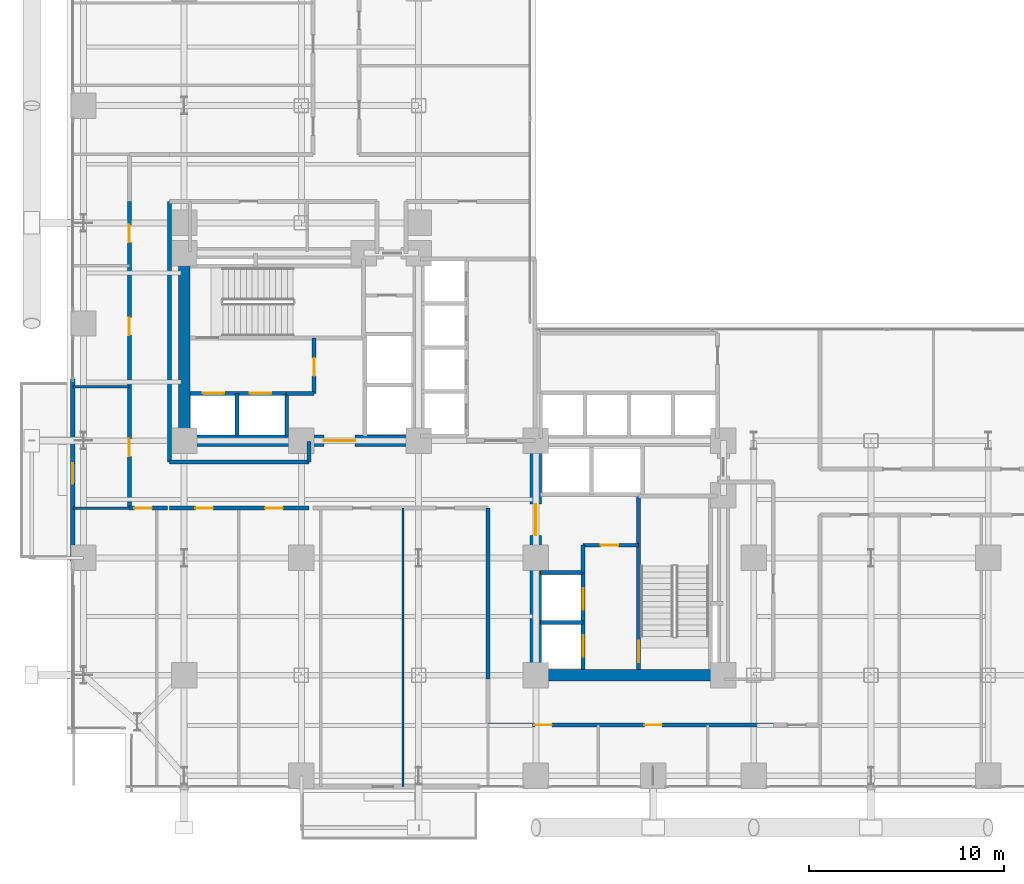
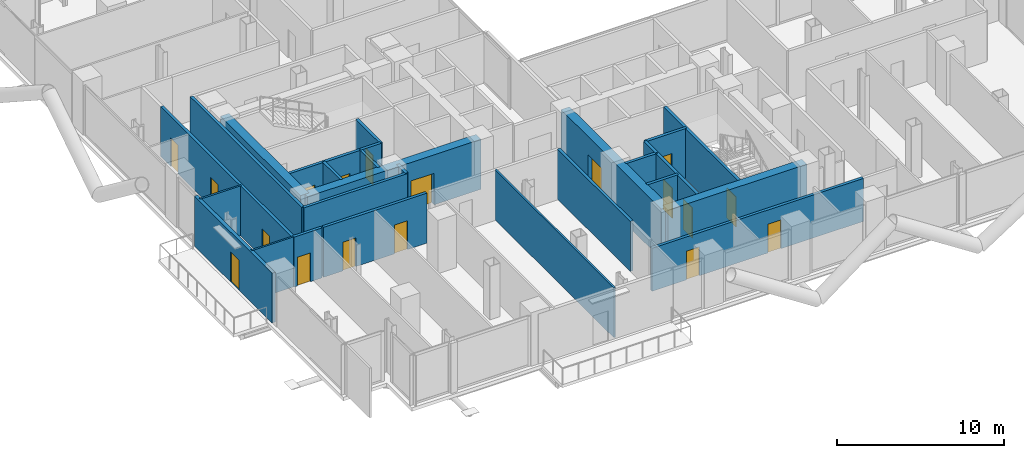
# One storey, part 20 of 25: 27 walls, 18 doors, 18 openings.
"""IFC4 building model written with IfcOpenShell, lengths in metres."""

from ifc_helpers import new_model, si_unit, direction, frame, frame_2d, origin, place, context, subcontext, project, spatial, rectangle, extrude, material, layer, layer_set, type_object, element, fill, save


model = new_model("IFC4")

# Units and contexts
model_context = context("Model", 3, precision=1e-05, world=origin(), true_north=direction((0.0, 1.0)))
body_context = subcontext(model_context, "Body", "Model", "MODEL_VIEW")
ifc_project = project(units=[si_unit("LENGTHUNIT", "METRE"), si_unit("AREAUNIT", "SQUARE_METRE"), si_unit("VOLUMEUNIT", "CUBIC_METRE"), si_unit("PLANEANGLEUNIT", "RADIAN"), si_unit("MASSUNIT", "GRAM", prefix="KILO"), si_unit("THERMODYNAMICTEMPERATUREUNIT", "KELVIN"), si_unit("POWERUNIT", "WATT")], contexts=[model_context])

# Site, building, storey
site_placement = place(None, origin())
site = spatial("IfcSite", under=ifc_project, at=site_placement, CompositionType="ELEMENT")
building_placement = place(site_placement, origin())
building = spatial("IfcBuilding", under=site, at=building_placement, Name="Svarakhadi Broadcast Tower", CompositionType="ELEMENT")
storey_placement = place(building_placement, frame((0.0, 0.0, 48.0)))
storey = spatial("IfcBuildingStorey", under=building, at=storey_placement, Name="L10", CompositionType="ELEMENT", Elevation=48.0)

# Wall, openings, doors
ifc_material_1 = material(Name="Double-Stud Acoustic Studio Partition STC-62", Category="gypsum")
ifc_layer_1 = layer(ifc_material_1, 0.199951171875)
ifc_layer_set_1 = layer_set([ifc_layer_1], Name="Double-Stud Acoustic Studio Partition STC-62")
wall_type_1 = type_object("IfcWallType", Name="Wall_Acoust_200", PredefinedType="PARTITIONING", material=ifc_layer_set_1)
wall_1_placement = place(storey_placement, frame((36.14990234375, 3.449951171875, 0.0), z_axis=(0.0, 0.0, 1.0), x_axis=(-1.0, 0.0, 0.0)))
wall_1 = element("IfcWall", 1, at=wall_1_placement, inside=storey, type_object=wall_type_1, Name="L10 Broadcast Corridor Wall", PredefinedType="PARTITIONING", context=body_context, shape_type="SweptSolid", body=[
    extrude(rectangle(XDim=14.599853515625, YDim=0.199951171875, at=frame_2d((7.2998046875, 0.0))), origin(), (0.0, 0.0, 1.0), 3.14208984375),
])
opening_1_placement = place(wall_1_placement, frame((11.324951171875, 0.0, 0.0)))
opening_1 = element("IfcOpeningElement", 2, at=opening_1_placement, cuts=wall_1, Name="Opening D-15", PredefinedType="OPENING", context=body_context, shape_type="SweptSolid", body=[
    extrude(rectangle(XDim=0.89990234375, YDim=2.10009765625, at=frame_2d((0.449951171875, 1.050048828125))), frame((0.0, 0.10986328125, 0.0), z_axis=(0.0, -1.0, 0.0), x_axis=(1.0, 0.0, 0.0)), (0.0, 0.0, 1.0), 0.219970703125),
])
opening_2_placement = place(wall_1_placement, frame((5.699951171875, 0.0, 0.0)))
opening_2 = element("IfcOpeningElement", 3, at=opening_2_placement, cuts=wall_1, Name="Opening D-14", PredefinedType="OPENING", context=body_context, shape_type="SweptSolid", body=[
    extrude(rectangle(XDim=0.89990234375, YDim=2.10009765625, at=frame_2d((0.449951171875, 1.050048828125))), frame((0.0, 0.10986328125, 0.0), z_axis=(0.0, -1.0, 0.0), x_axis=(1.0, 0.0, 0.0)), (0.0, 0.0, 1.0), 0.219970703125),
])
ifc_material_2 = material(Name="Solid-Core Teak Veneer Acoustic Timber Leaf", Category="wood")
door_type_1 = type_object("IfcDoorType", Name="Door_Int_D14", OperationType="SINGLE_SWING_LEFT", PredefinedType="DOOR", material=ifc_material_2)
door_1_placement = place(opening_2_placement, origin())
door_1 = element("IfcDoor", 4, at=door_1_placement, inside=storey, type_object=door_type_1, Name="L10 Media Legal Review Office Door", OperationType="SINGLE_SWING_LEFT", OverallHeight=2.10009765625, OverallWidth=0.89990234375, PredefinedType="DOOR", context=body_context, shape_type="SweptSolid", body=[
    extrude(rectangle(XDim=0.89990234375, YDim=2.10009765625, at=frame_2d((0.449951171875, 1.050048828125))), frame((0.0, 0.02490234375, 0.0), z_axis=(0.0, -1.0, 0.0), x_axis=(1.0, 0.0, 0.0)), (0.0, 0.0, 1.0), 0.050048828125),
])
fill(opening_2, door_1)
door_type_2 = type_object("IfcDoorType", Name="Door_Int_D15", OperationType="SINGLE_SWING_RIGHT", PredefinedType="DOOR", material=ifc_material_2)
door_2_placement = place(opening_1_placement, origin())
door_2 = element("IfcDoor", 5, at=door_2_placement, inside=storey, type_object=door_type_2, Name="L10 South Harbour Editorial Desk Door", OperationType="SINGLE_SWING_RIGHT", OverallHeight=2.10009765625, OverallWidth=0.89990234375, PredefinedType="DOOR", context=body_context, shape_type="SweptSolid", body=[
    extrude(rectangle(XDim=0.89990234375, YDim=2.10009765625, at=frame_2d((0.449951171875, 1.050048828125))), frame((0.0, 0.02490234375, 0.0), z_axis=(0.0, -1.0, 0.0), x_axis=(1.0, 0.0, 0.0)), (0.0, 0.0, 1.0), 0.050048828125),
])
fill(opening_1, door_2)

# Wall
wall_2_placement = place(storey_placement, frame((21.550048828125, 5.800048828125, 0.0), z_axis=(0.0, 0.0, 1.0), x_axis=(0.0, 1.0, 0.0)))
element("IfcWall", 6, at=wall_2_placement, inside=storey, type_object=wall_type_1, Name="L10 Broadcast Corridor Wall", PredefinedType="PARTITIONING", context=body_context, shape_type="SweptSolid", body=[
    extrude(rectangle(XDim=8.75, YDim=0.199951171875, at=frame_2d((4.375, 0.0))), origin(), (0.0, 0.0, 1.0), 3.64990234375),
])

# Wall, openings, doors
wall_3_placement = place(storey_placement, frame((12.39990234375, 14.550048828125, 0.0), z_axis=(0.0, 0.0, 1.0), x_axis=(-1.0, 0.0, 0.0)))
wall_3 = element("IfcWall", 7, at=wall_3_placement, inside=storey, type_object=wall_type_1, Name="L10 Broadcast Corridor Wall", PredefinedType="PARTITIONING", context=body_context, shape_type="SweptSolid", body=[
    extrude(rectangle(XDim=7.14990234375, YDim=0.199951171875, at=frame_2d((3.574951171875, 0.0))), origin(), (0.0, 0.0, 1.0), 3.64990234375),
])
opening_3_placement = place(wall_3_placement, frame((4.925048828125, 0.0, 0.0)))
opening_3 = element("IfcOpeningElement", 8, at=opening_3_placement, cuts=wall_3, Name="Opening D-15", PredefinedType="OPENING", context=body_context, shape_type="SweptSolid", body=[
    extrude(rectangle(XDim=0.89990234375, YDim=2.10009765625, at=frame_2d((0.449951171875, 1.050048828125))), frame((0.0, 0.10986328125, 0.0), z_axis=(0.0, -1.0, 0.0), x_axis=(1.0, 0.0, 0.0)), (0.0, 0.0, 1.0), 0.219970703125),
])
opening_4_placement = place(wall_3_placement, frame((1.35009765625, 0.0, 0.0)))
opening_4 = element("IfcOpeningElement", 9, at=opening_4_placement, cuts=wall_3, Name="Opening D-14", PredefinedType="OPENING", context=body_context, shape_type="SweptSolid", body=[
    extrude(rectangle(XDim=0.89990234375, YDim=2.10009765625, at=frame_2d((0.449951171875, 1.050048828125))), frame((0.0, 0.10986328125, 0.0), z_axis=(0.0, -1.0, 0.0), x_axis=(1.0, 0.0, 0.0)), (0.0, 0.0, 1.0), 0.219970703125),
])
door_3_placement = place(opening_4_placement, origin())
door_3 = element("IfcDoor", 10, at=door_3_placement, inside=storey, type_object=door_type_1, Name="L10 Audio Mix Room Door", OperationType="SINGLE_SWING_LEFT", OverallHeight=2.10009765625, OverallWidth=0.89990234375, PredefinedType="DOOR", context=body_context, shape_type="SweptSolid", body=[
    extrude(rectangle(XDim=0.89990234375, YDim=2.10009765625, at=frame_2d((0.449951171875, 1.050048828125))), frame((0.0, 0.02490234375, 0.0), z_axis=(0.0, -1.0, 0.0), x_axis=(1.0, 0.0, 0.0)), (0.0, 0.0, 1.0), 0.050048828125),
])
fill(opening_4, door_3)
door_4_placement = place(opening_3_placement, origin())
door_4 = element("IfcDoor", 11, at=door_4_placement, inside=storey, type_object=door_type_2, Name="L10 Video Edit Pod 2 Door", OperationType="SINGLE_SWING_RIGHT", OverallHeight=2.10009765625, OverallWidth=0.89990234375, PredefinedType="DOOR", context=body_context, shape_type="SweptSolid", body=[
    extrude(rectangle(XDim=0.89990234375, YDim=2.10009765625, at=frame_2d((0.449951171875, 1.050048828125))), frame((0.0, 0.02490234375, 0.0), z_axis=(0.0, -1.0, 0.0), x_axis=(1.0, 0.0, 0.0)), (0.0, 0.0, 1.0), 0.050048828125),
])
fill(opening_3, door_4)

# Wall, opening, door
wall_4_placement = place(storey_placement, frame((5.14990234375, 14.550048828125, 0.0), z_axis=(0.0, 0.0, 1.0), x_axis=(-1.0, 0.0, 0.0)))
wall_4 = element("IfcWall", 12, at=wall_4_placement, inside=storey, type_object=wall_type_1, Name="L10 Broadcast Corridor Wall", PredefinedType="PARTITIONING", context=body_context, shape_type="SweptSolid", body=[
    extrude(rectangle(XDim=1.949951171875, YDim=0.199951171875, at=frame_2d((0.97509765625, 0.0))), origin(), (0.0, 0.0, 1.0), 3.64990234375),
])
opening_5_placement = place(wall_4_placement, frame((0.800048828125, 0.0, 0.0)))
opening_5 = element("IfcOpeningElement", 13, at=opening_5_placement, cuts=wall_4, Name="Opening D-15", PredefinedType="OPENING", context=body_context, shape_type="SweptSolid", body=[
    extrude(rectangle(XDim=0.89990234375, YDim=2.10009765625, at=frame_2d((0.449951171875, 1.050048828125))), frame((0.0, 0.10986328125, 0.0), z_axis=(0.0, -1.0, 0.0), x_axis=(1.0, 0.0, 0.0)), (0.0, 0.0, 1.0), 0.219970703125),
])
door_5_placement = place(opening_5_placement, origin())
door_5 = element("IfcDoor", 14, at=door_5_placement, inside=storey, type_object=door_type_2, Name="L10 Video Edit Pod 1 Door", OperationType="SINGLE_SWING_RIGHT", OverallHeight=2.10009765625, OverallWidth=0.89990234375, PredefinedType="DOOR", context=body_context, shape_type="SweptSolid", body=[
    extrude(rectangle(XDim=0.89990234375, YDim=2.10009765625, at=frame_2d((0.449951171875, 1.050048828125))), frame((0.0, 0.02490234375, 0.0), z_axis=(0.0, -1.0, 0.0), x_axis=(1.0, 0.0, 0.0)), (0.0, 0.0, 1.0), 0.050048828125),
])
fill(opening_5, door_5)

# Wall, openings, doors
wall_5_placement = place(storey_placement, frame((3.199951171875, 14.550048828125, 0.0), z_axis=(0.0, 0.0, 1.0), x_axis=(0.0, 1.0, 0.0)))
wall_5 = element("IfcWall", 15, at=wall_5_placement, inside=storey, type_object=wall_type_1, Name="L10 Broadcast Corridor Wall", PredefinedType="PARTITIONING", context=body_context, shape_type="SweptSolid", body=[
    extrude(rectangle(XDim=15.699951171875, YDim=0.199951171875, at=frame_2d((7.85009765625, 0.0))), origin(), (0.0, 0.0, 1.0), 3.64990234375),
])
opening_6_placement = place(wall_5_placement, frame((2.64990234375, 0.0, 0.0)))
opening_6 = element("IfcOpeningElement", 16, at=opening_6_placement, cuts=wall_5, Name="Opening D-14", PredefinedType="OPENING", context=body_context, shape_type="SweptSolid", body=[
    extrude(rectangle(XDim=0.89990234375, YDim=2.10009765625, at=frame_2d((0.449951171875, 1.050048828125))), frame((0.0, 0.10986328125, 0.0), z_axis=(0.0, -1.0, 0.0), x_axis=(1.0, 0.0, 0.0)), (0.0, 0.0, 1.0), 0.219970703125),
])
opening_7_placement = place(wall_5_placement, frame((8.85009765625, 0.0, 0.0)))
opening_7 = element("IfcOpeningElement", 17, at=opening_7_placement, cuts=wall_5, Name="Opening D-15", PredefinedType="OPENING", context=body_context, shape_type="SweptSolid", body=[
    extrude(rectangle(XDim=0.89990234375, YDim=2.10009765625, at=frame_2d((0.449951171875, 1.050048828125))), frame((0.0, 0.10986328125, 0.0), z_axis=(0.0, -1.0, 0.0), x_axis=(1.0, 0.0, 0.0)), (0.0, 0.0, 1.0), 0.219970703125),
])
opening_8_placement = place(wall_5_placement, frame((13.60009765625, 0.0, 0.0)))
opening_8 = element("IfcOpeningElement", 18, at=opening_8_placement, cuts=wall_5, Name="Opening D-14", PredefinedType="OPENING", context=body_context, shape_type="SweptSolid", body=[
    extrude(rectangle(XDim=0.89990234375, YDim=2.10009765625, at=frame_2d((0.449951171875, 1.050048828125))), frame((0.0, 0.10986328125, 0.0), z_axis=(0.0, -1.0, 0.0), x_axis=(1.0, 0.0, 0.0)), (0.0, 0.0, 1.0), 0.219970703125),
])
door_6_placement = place(opening_6_placement, origin())
door_6 = element("IfcDoor", 19, at=door_6_placement, inside=storey, type_object=door_type_1, Name="L10 Arabian Sea Commentary Booth Door", OperationType="SINGLE_SWING_LEFT", OverallHeight=2.10009765625, OverallWidth=0.89990234375, PredefinedType="DOOR", context=body_context, shape_type="SweptSolid", body=[
    extrude(rectangle(XDim=0.89990234375, YDim=2.10009765625, at=frame_2d((0.449951171875, 1.050048828125))), frame((0.0, 0.02490234375, 0.0), z_axis=(0.0, -1.0, 0.0), x_axis=(1.0, 0.0, 0.0)), (0.0, 0.0, 1.0), 0.050048828125),
])
fill(opening_6, door_6)
door_7_placement = place(opening_8_placement, origin())
door_7 = element("IfcDoor", 20, at=door_7_placement, inside=storey, type_object=door_type_1, Name="L10 Producer Quiet Lounge Door", OperationType="SINGLE_SWING_LEFT", OverallHeight=2.10009765625, OverallWidth=0.89990234375, PredefinedType="DOOR", context=body_context, shape_type="SweptSolid", body=[
    extrude(rectangle(XDim=0.89990234375, YDim=2.10009765625, at=frame_2d((0.449951171875, 1.050048828125))), frame((0.0, 0.02490234375, 0.0), z_axis=(0.0, -1.0, 0.0), x_axis=(1.0, 0.0, 0.0)), (0.0, 0.0, 1.0), 0.050048828125),
])
fill(opening_8, door_7)
door_8_placement = place(opening_7_placement, origin())
door_8 = element("IfcDoor", 21, at=door_8_placement, inside=storey, type_object=door_type_2, Name="L10 Live Translation Studio Door", OperationType="SINGLE_SWING_RIGHT", OverallHeight=2.10009765625, OverallWidth=0.89990234375, PredefinedType="DOOR", context=body_context, shape_type="SweptSolid", body=[
    extrude(rectangle(XDim=0.89990234375, YDim=2.10009765625, at=frame_2d((0.449951171875, 1.050048828125))), frame((0.0, 0.02490234375, 0.0), z_axis=(0.0, -1.0, 0.0), x_axis=(1.0, 0.0, 0.0)), (0.0, 0.0, 1.0), 0.050048828125),
])
fill(opening_7, door_8)

# Walls
wall_6_placement = place(storey_placement, frame((5.25, 30.25, 0.0), z_axis=(0.0, 0.0, 1.0), x_axis=(0.0, -1.0, 0.0)))
element("IfcWall", 22, at=wall_6_placement, inside=storey, type_object=wall_type_1, Name="L10 Broadcast Corridor Wall", PredefinedType="PARTITIONING", context=body_context, shape_type="SweptSolid", body=[
    extrude(rectangle(XDim=13.35009765625, YDim=0.199951171875, at=frame_2d((6.675048828125, 0.0))), origin(), (0.0, 0.0, 1.0), 3.64990234375),
])
wall_7_placement = place(storey_placement, frame((5.25, 16.89990234375, 0.0), z_axis=(0.0, 0.0, 1.0), x_axis=(1.0, 0.0, 0.0)))
element("IfcWall", 23, at=wall_7_placement, inside=storey, type_object=wall_type_1, Name="L10 Broadcast Corridor Wall", PredefinedType="PARTITIONING", context=body_context, shape_type="SweptSolid", body=[
    extrude(rectangle(XDim=7.14990234375, YDim=0.199951171875, at=frame_2d((3.574951171875, 0.0))), origin(), (0.0, 0.0, 1.0), 3.64990234375),
])
wall_8_placement = place(storey_placement, frame((12.39990234375, 16.89990234375, 0.0), z_axis=(0.0, 0.0, 1.0), x_axis=(0.0, 1.0, 0.0)))
element("IfcWall", 24, at=wall_8_placement, inside=storey, type_object=wall_type_1, Name="L10 Broadcast Corridor Wall", PredefinedType="PARTITIONING", context=body_context, shape_type="SweptSolid", body=[
    extrude(rectangle(XDim=1.050048828125, YDim=0.199951171875, at=frame_2d((0.52490234375, 0.0))), origin(), (0.0, 0.0, 1.0), 3.64990234375),
])

# Wall, opening, door
ifc_material_3 = material(Name="Concrete C40/50 (IS 456 M50)", Category="concrete")
ifc_layer_2 = layer(ifc_material_3, 0.239990234375)
ifc_layer_set_2 = layer_set([ifc_layer_2], Name="Concrete C40/50 (IS 456 M50)")
wall_type_2 = type_object("IfcWallType", Name="Wall_Ext_240", PredefinedType="SOLIDWALL", material=ifc_layer_set_2)
wall_9_placement = place(storey_placement, frame((0.300048828125, 11.85498046875, 0.0), z_axis=(0.0, 0.0, 1.0), x_axis=(0.0, 1.0, 0.0)))
wall_9 = element("IfcWall", 25, at=wall_9_placement, inside=storey, type_object=wall_type_2, Name="L10 West Tree Balcony Spandrel Wall", PredefinedType="SOLIDWALL", context=body_context, shape_type="SweptSolid", body=[
    extrude(rectangle(XDim=9.2900390625, YDim=0.239990234375, at=frame_2d((4.64501953125, 0.0))), origin(), (0.0, 0.0, 1.0), 3.64990234375),
])
opening_9_placement = place(wall_9_placement, frame((3.945068359375, 0.0, 0.0)))
opening_9 = element("IfcOpeningElement", 26, at=opening_9_placement, cuts=wall_9, Name="Opening ED-05", PredefinedType="OPENING", context=body_context, shape_type="SweptSolid", body=[
    extrude(rectangle(XDim=1.050048828125, YDim=2.199951171875, at=frame_2d((0.52490234375, 1.10009765625))), frame((0.0, 0.1298828125, 0.0), z_axis=(0.0, -1.0, 0.0), x_axis=(1.0, 0.0, 0.0)), (0.0, 0.0, 1.0), 0.260009765625),
])
ifc_material_4 = material(Name="Anodised Bronze Aluminium AA 6063-T6", Category="aluminium")
door_type_3 = type_object("IfcDoorType", Name="Door_Ext_ED05", OperationType="SINGLE_SWING_LEFT", PredefinedType="DOOR", material=ifc_material_4)
door_9_placement = place(opening_9_placement, origin())
door_9 = element("IfcDoor", 27, at=door_9_placement, inside=storey, type_object=door_type_3, Name="L10 West Tree Balcony Door", OperationType="SINGLE_SWING_LEFT", OverallHeight=2.199951171875, OverallWidth=1.050048828125, PredefinedType="DOOR", context=body_context, shape_type="SweptSolid", body=[
    extrude(rectangle(XDim=1.050048828125, YDim=2.199951171875, at=frame_2d((0.52490234375, 1.10009765625))), frame((0.0, 0.02490234375, 0.0), z_axis=(0.0, -1.0, 0.0), x_axis=(1.0, 0.0, 0.0)), (0.0, 0.0, 1.0), 0.050048828125),
])
fill(opening_9, door_9)

# Walls
ifc_material_5 = material(Name="Fire-Rated Moisture-Resistant Gypsum Board Partition", Category="gypsum")
ifc_layer_3 = layer(ifc_material_5, 0.125)
ifc_layer_set_3 = layer_set([ifc_layer_3], Name="Fire-Rated Moisture-Resistant Gypsum Board Partition")
wall_type_3 = type_object("IfcWallType", Name="Wall_Part_125", PredefinedType="PARTITIONING", material=ifc_layer_set_3)
wall_10_placement = place(storey_placement, frame((17.199951171875, 0.300048828125, 0.0), z_axis=(0.0, 0.0, 1.0), x_axis=(0.0, 1.0, 0.0)))
element("IfcWall", 28, at=wall_10_placement, inside=storey, type_object=wall_type_3, Name="L10 VFX Grading Pod Wall", PredefinedType="PARTITIONING", context=body_context, shape_type="SweptSolid", body=[
    extrude(rectangle(XDim=14.25, YDim=0.125, at=frame_2d((7.125, 0.0))), origin(), (0.0, 0.0, 1.0), 3.64990234375),
])
for number, where, z_axis, x_axis, name in (
    (29, (0.300048828125, 14.550048828125, 0.0), (0.0, 0.0, 1.0), (1.0, 0.0, 0.0), "L10 Arabian Sea Commentary Booth Wall"),
    (30, (0.300048828125, 20.75, 0.0), (0.0, 0.0, 1.0), (1.0, 0.0, 0.0), "L10 Arabian Sea Commentary Booth Wall"),
):
    element("IfcWall", number, at=place(storey_placement, frame(where, z_axis=z_axis, x_axis=x_axis)), inside=storey, type_object=wall_type_3, Name=name, PredefinedType="PARTITIONING", context=body_context, shape_type="SweptSolid", body=[
        extrude(rectangle(XDim=2.89990234375, YDim=0.125, at=frame_2d((1.449951171875, 0.0))), origin(), (0.0, 0.0, 1.0), 3.64990234375),
    ])

# Wall, opening, door
ifc_material_6 = material(Name="Concrete C50/60 (IS 456 M60)", Category="concrete")
ifc_layer_4 = layer(ifc_material_6, 0.199951171875)
ifc_layer_set_4 = layer_set([ifc_layer_4], Name="Concrete C50/60 (IS 456 M60)")
wall_type_4 = type_object("IfcWallType", Name="Wall_Shear_200", PredefinedType="SHEAR", material=ifc_layer_set_4)
wall_11_placement = place(storey_placement, frame((29.260009765625, 6.300048828125, 0.0), z_axis=(0.0, 0.0, 1.0), x_axis=(0.0, 1.0, 0.0)))
wall_11 = element("IfcWall", 31, at=wall_11_placement, inside=storey, type_object=wall_type_4, Name="L10 Stair ST-02 West RC Shaft Wall", PredefinedType="SHEAR", context=body_context, shape_type="SweptSolid", body=[
    extrude(rectangle(XDim=8.8798828125, YDim=0.199951171875, at=frame_2d((4.43994140625, 0.0))), origin(), (0.0, 0.0, 1.0), 3.64990234375),
])
opening_10_placement = place(wall_11_placement, frame((0.35009765625, 0.0, 0.0)))
opening_10 = element("IfcOpeningElement", 32, at=opening_10_placement, cuts=wall_11, Name="Opening D-02", PredefinedType="OPENING", context=body_context, shape_type="SweptSolid", body=[
    extrude(rectangle(XDim=1.10009765625, YDim=2.199951171875, at=frame_2d((0.550048828125, 1.10009765625))), frame((0.0, 0.10986328125, 0.0), z_axis=(0.0, -1.0, 0.0), x_axis=(1.0, 0.0, 0.0)), (0.0, 0.0, 1.0), 0.219970703125),
])
ifc_material_7 = material(Name="Galvanised Powder-Coated Fire-Rated Steel Leaf", Category="steel")
door_type_4 = type_object("IfcDoorType", Name="Door_Stair_D02", OperationType="SINGLE_SWING_RIGHT", PredefinedType="DOOR", material=ifc_material_7)
door_10_placement = place(opening_10_placement, origin())
door_10 = element("IfcDoor", 33, at=door_10_placement, inside=storey, type_object=door_type_4, Name="L10 Protected Exit Stair ST-02 Fire Door", OperationType="SINGLE_SWING_RIGHT", OverallHeight=2.199951171875, OverallWidth=1.10009765625, PredefinedType="DOOR", context=body_context, shape_type="SweptSolid", body=[
    extrude(rectangle(XDim=1.10009765625, YDim=2.199951171875, at=frame_2d((0.550048828125, 1.10009765625))), frame((0.0, 0.02490234375, 0.0), z_axis=(0.0, -1.0, 0.0), x_axis=(1.0, 0.0, 0.0)), (0.0, 0.0, 1.0), 0.050048828125),
])
fill(opening_10, door_10)

# Wall, openings, doors
wall_12_placement = place(storey_placement, frame((6.300048828125, 20.419921875, 0.0), z_axis=(0.0, 0.0, 1.0), x_axis=(1.0, 0.0, 0.0)))
wall_12 = element("IfcWall", 34, at=wall_12_placement, inside=storey, type_object=wall_type_4, Name="L10 Firefighting Lift LF-01/02 Shaft Wall", PredefinedType="SHEAR", context=body_context, shape_type="SweptSolid", body=[
    extrude(rectangle(XDim=4.949951171875, YDim=0.199951171875, at=frame_2d((2.47509765625, 0.0))), origin(), (0.0, 0.0, 1.0), 3.64990234375),
])
opening_11_placement = place(wall_12_placement, frame((0.64990234375, 0.0, 0.0)))
opening_11 = element("IfcOpeningElement", 35, at=opening_11_placement, cuts=wall_12, Name="Opening LD-01", PredefinedType="OPENING", context=body_context, shape_type="SweptSolid", body=[
    extrude(rectangle(XDim=1.10009765625, YDim=2.199951171875, at=frame_2d((0.550048828125, 1.10009765625))), frame((0.0, 0.10986328125, 0.0), z_axis=(0.0, -1.0, 0.0), x_axis=(1.0, 0.0, 0.0)), (0.0, 0.0, 1.0), 0.219970703125),
])
opening_12_placement = place(wall_12_placement, frame((3.050048828125, 0.0, 0.0)))
opening_12 = element("IfcOpeningElement", 36, at=opening_12_placement, cuts=wall_12, Name="Opening LD-01", PredefinedType="OPENING", context=body_context, shape_type="SweptSolid", body=[
    extrude(rectangle(XDim=1.10009765625, YDim=2.199951171875, at=frame_2d((0.550048828125, 1.10009765625))), frame((0.0, 0.10986328125, 0.0), z_axis=(0.0, -1.0, 0.0), x_axis=(1.0, 0.0, 0.0)), (0.0, 0.0, 1.0), 0.219970703125),
])
door_type_5 = type_object("IfcDoorType", Name="Door_Lift_LD01", OperationType="SLIDING_TO_LEFT", PredefinedType="DOOR", material=ifc_material_7)
door_11_placement = place(opening_11_placement, origin())
door_11 = element("IfcDoor", 37, at=door_11_placement, inside=storey, type_object=door_type_5, Name="L10 Firefighting Lift LF-01 Landing Door", OperationType="SLIDING_TO_LEFT", OverallHeight=2.199951171875, OverallWidth=1.10009765625, PredefinedType="DOOR", context=body_context, shape_type="SweptSolid", body=[
    extrude(rectangle(XDim=1.10009765625, YDim=2.199951171875, at=frame_2d((0.550048828125, 1.10009765625))), frame((0.0, 0.02490234375, 0.0), z_axis=(0.0, -1.0, 0.0), x_axis=(1.0, 0.0, 0.0)), (0.0, 0.0, 1.0), 0.050048828125),
])
fill(opening_11, door_11)
door_12_placement = place(opening_12_placement, origin())
door_12 = element("IfcDoor", 38, at=door_12_placement, inside=storey, type_object=door_type_5, Name="L10 Firefighting Lift LF-02 Landing Door", OperationType="SLIDING_TO_LEFT", OverallHeight=2.199951171875, OverallWidth=1.10009765625, PredefinedType="DOOR", context=body_context, shape_type="SweptSolid", body=[
    extrude(rectangle(XDim=1.10009765625, YDim=2.199951171875, at=frame_2d((0.550048828125, 1.10009765625))), frame((0.0, 0.02490234375, 0.0), z_axis=(0.0, -1.0, 0.0), x_axis=(1.0, 0.0, 0.0)), (0.0, 0.0, 1.0), 0.050048828125),
])
fill(opening_12, door_12)

# Walls
for number, where, z_axis, x_axis, name in (
    (39, (8.699951171875, 18.25, 0.0), (0.0, 0.0, 1.0), (0.0, 1.0, 0.0), "L10 Firefighting Lift LF-01/02 Divider Wall"),
    (40, (11.25, 18.25, 0.0), (0.0, 0.0, 1.0), (0.0, 1.0, 0.0), "L10 Firefighting Lift LF-02 East Wall"),
):
    element("IfcWall", number, at=place(storey_placement, frame(where, z_axis=z_axis, x_axis=x_axis)), inside=storey, type_object=wall_type_4, Name=name, PredefinedType="SHEAR", context=body_context, shape_type="SweptSolid", body=[
        extrude(rectangle(XDim=2.169921875, YDim=0.199951171875, at=frame_2d((1.0849609375, 0.0))), origin(), (0.0, 0.0, 1.0), 3.64990234375),
    ])
wall_13_placement = place(storey_placement, frame((11.25, 20.419921875, 0.0), z_axis=(0.0, 0.0, 1.0), x_axis=(1.0, 0.0, 0.0)))
element("IfcWall", 41, at=wall_13_placement, inside=storey, type_object=wall_type_4, Name="L10 West Firefighting Lobby South Wall", PredefinedType="SHEAR", context=body_context, shape_type="SweptSolid", body=[
    extrude(rectangle(XDim=1.39990234375, YDim=0.199951171875, at=frame_2d((0.699951171875, 0.0))), origin(), (0.0, 0.0, 1.0), 3.64990234375),
])

# Wall, opening, door
wall_14_placement = place(storey_placement, frame((12.64990234375, 20.419921875, 0.0), z_axis=(0.0, 0.0, 1.0), x_axis=(0.0, 1.0, 0.0)))
wall_14 = element("IfcWall", 42, at=wall_14_placement, inside=storey, type_object=wall_type_4, Name="L10 West Firefighting Lobby East Wall", PredefinedType="SHEAR", context=body_context, shape_type="SweptSolid", body=[
    extrude(rectangle(XDim=2.840087890625, YDim=0.199951171875, at=frame_2d((1.419921875, 0.0))), origin(), (0.0, 0.0, 1.0), 3.64990234375),
])
opening_13_placement = place(wall_14_placement, frame((0.89990234375, 0.0, 0.0)))
opening_13 = element("IfcOpeningElement", 43, at=opening_13_placement, cuts=wall_14, Name="Opening D-04", PredefinedType="OPENING", context=body_context, shape_type="SweptSolid", body=[
    extrude(rectangle(XDim=0.89990234375, YDim=2.14990234375, at=frame_2d((0.449951171875, 1.074951171875))), frame((0.0, 0.10986328125, 0.0), z_axis=(0.0, -1.0, 0.0), x_axis=(1.0, 0.0, 0.0)), (0.0, 0.0, 1.0), 0.219970703125),
])
door_type_6 = type_object("IfcDoorType", Name="Door_Fire_D04", OperationType="SINGLE_SWING_RIGHT", PredefinedType="DOOR", material=ifc_material_7)
door_13_placement = place(opening_13_placement, origin())
door_13 = element("IfcDoor", 44, at=door_13_placement, inside=storey, type_object=door_type_6, Name="L10 West Firefighting Lobby Fire Door", OperationType="SINGLE_SWING_RIGHT", OverallHeight=2.14990234375, OverallWidth=0.89990234375, PredefinedType="DOOR", context=body_context, shape_type="SweptSolid", body=[
    extrude(rectangle(XDim=0.89990234375, YDim=2.14990234375, at=frame_2d((0.449951171875, 1.074951171875))), frame((0.0, 0.02490234375, 0.0), z_axis=(0.0, -1.0, 0.0), x_axis=(1.0, 0.0, 0.0)), (0.0, 0.0, 1.0), 0.050048828125),
])
fill(opening_13, door_13)

# Wall, openings, doors
wall_15_placement = place(storey_placement, frame((26.419921875, 6.300048828125, 0.0), z_axis=(0.0, 0.0, 1.0), x_axis=(0.0, 1.0, 0.0)))
wall_15 = element("IfcWall", 45, at=wall_15_placement, inside=storey, type_object=wall_type_4, Name="L10 Firefighting Lift LF-03/04 Shaft Wall", PredefinedType="SHEAR", context=body_context, shape_type="SweptSolid", body=[
    extrude(rectangle(XDim=4.949951171875, YDim=0.199951171875, at=frame_2d((2.47509765625, 0.0))), origin(), (0.0, 0.0, 1.0), 3.64990234375),
])
opening_14_placement = place(wall_15_placement, frame((0.64990234375, 0.0, 0.0)))
opening_14 = element("IfcOpeningElement", 46, at=opening_14_placement, cuts=wall_15, Name="Opening LD-01", PredefinedType="OPENING", context=body_context, shape_type="SweptSolid", body=[
    extrude(rectangle(XDim=1.10009765625, YDim=2.199951171875, at=frame_2d((0.550048828125, 1.10009765625))), frame((0.0, 0.10986328125, 0.0), z_axis=(0.0, -1.0, 0.0), x_axis=(1.0, 0.0, 0.0)), (0.0, 0.0, 1.0), 0.219970703125),
])
opening_15_placement = place(wall_15_placement, frame((3.050048828125, 0.0, 0.0)))
opening_15 = element("IfcOpeningElement", 47, at=opening_15_placement, cuts=wall_15, Name="Opening LD-01", PredefinedType="OPENING", context=body_context, shape_type="SweptSolid", body=[
    extrude(rectangle(XDim=1.10009765625, YDim=2.199951171875, at=frame_2d((0.550048828125, 1.10009765625))), frame((0.0, 0.10986328125, 0.0), z_axis=(0.0, -1.0, 0.0), x_axis=(1.0, 0.0, 0.0)), (0.0, 0.0, 1.0), 0.219970703125),
])
door_14_placement = place(opening_14_placement, origin())
door_14 = element("IfcDoor", 48, at=door_14_placement, inside=storey, type_object=door_type_5, Name="L10 Firefighting Lift LF-03 Landing Door", OperationType="SLIDING_TO_LEFT", OverallHeight=2.199951171875, OverallWidth=1.10009765625, PredefinedType="DOOR", context=body_context, shape_type="SweptSolid", body=[
    extrude(rectangle(XDim=1.10009765625, YDim=2.199951171875, at=frame_2d((0.550048828125, 1.10009765625))), frame((0.0, 0.02490234375, 0.0), z_axis=(0.0, -1.0, 0.0), x_axis=(1.0, 0.0, 0.0)), (0.0, 0.0, 1.0), 0.050048828125),
])
fill(opening_14, door_14)
door_15_placement = place(opening_15_placement, origin())
door_15 = element("IfcDoor", 49, at=door_15_placement, inside=storey, type_object=door_type_5, Name="L10 Firefighting Lift LF-04 Landing Door", OperationType="SLIDING_TO_LEFT", OverallHeight=2.199951171875, OverallWidth=1.10009765625, PredefinedType="DOOR", context=body_context, shape_type="SweptSolid", body=[
    extrude(rectangle(XDim=1.10009765625, YDim=2.199951171875, at=frame_2d((0.550048828125, 1.10009765625))), frame((0.0, 0.02490234375, 0.0), z_axis=(0.0, -1.0, 0.0), x_axis=(1.0, 0.0, 0.0)), (0.0, 0.0, 1.0), 0.050048828125),
])
fill(opening_15, door_15)

# Walls
for number, where, z_axis, x_axis, name in (
    (50, (24.25, 8.699951171875, 0.0), (0.0, 0.0, 1.0), (1.0, 0.0, 0.0), "L10 Firefighting Lift LF-03/04 Divider Wall"),
    (51, (24.25, 11.25, 0.0), (0.0, 0.0, 1.0), (1.0, 0.0, 0.0), "L10 Firefighting Lift LF-04 North Wall"),
):
    element("IfcWall", number, at=place(storey_placement, frame(where, z_axis=z_axis, x_axis=x_axis)), inside=storey, type_object=wall_type_4, Name=name, PredefinedType="SHEAR", context=body_context, shape_type="SweptSolid", body=[
        extrude(rectangle(XDim=2.169921875, YDim=0.199951171875, at=frame_2d((1.0849609375, 0.0))), origin(), (0.0, 0.0, 1.0), 3.64990234375),
    ])
wall_16_placement = place(storey_placement, frame((26.419921875, 11.25, 0.0), z_axis=(0.0, 0.0, 1.0), x_axis=(0.0, 1.0, 0.0)))
element("IfcWall", 52, at=wall_16_placement, inside=storey, type_object=wall_type_4, Name="L10 East Firefighting Lobby West Wall", PredefinedType="SHEAR", context=body_context, shape_type="SweptSolid", body=[
    extrude(rectangle(XDim=1.39990234375, YDim=0.199951171875, at=frame_2d((0.699951171875, 0.0))), origin(), (0.0, 0.0, 1.0), 3.64990234375),
])

# Wall, opening, door
wall_17_placement = place(storey_placement, frame((26.419921875, 12.64990234375, 0.0), z_axis=(0.0, 0.0, 1.0), x_axis=(1.0, 0.0, 0.0)))
wall_17 = element("IfcWall", 53, at=wall_17_placement, inside=storey, type_object=wall_type_4, Name="L10 East Firefighting Lobby North Wall", PredefinedType="SHEAR", context=body_context, shape_type="SweptSolid", body=[
    extrude(rectangle(XDim=2.840087890625, YDim=0.199951171875, at=frame_2d((1.419921875, 0.0))), origin(), (0.0, 0.0, 1.0), 3.64990234375),
])
opening_16_placement = place(wall_17_placement, frame((0.89990234375, 0.0, 0.0)))
opening_16 = element("IfcOpeningElement", 54, at=opening_16_placement, cuts=wall_17, Name="Opening D-03", PredefinedType="OPENING", context=body_context, shape_type="SweptSolid", body=[
    extrude(rectangle(XDim=0.89990234375, YDim=2.14990234375, at=frame_2d((0.449951171875, 1.074951171875))), frame((0.0, 0.10986328125, 0.0), z_axis=(0.0, -1.0, 0.0), x_axis=(1.0, 0.0, 0.0)), (0.0, 0.0, 1.0), 0.219970703125),
])
door_type_7 = type_object("IfcDoorType", Name="Door_Fire_D03", OperationType="SINGLE_SWING_LEFT", PredefinedType="DOOR", material=ifc_material_7)
door_16_placement = place(opening_16_placement, origin())
door_16 = element("IfcDoor", 55, at=door_16_placement, inside=storey, type_object=door_type_7, Name="L10 East Firefighting Lobby Fire Door", OperationType="SINGLE_SWING_LEFT", OverallHeight=2.14990234375, OverallWidth=0.89990234375, PredefinedType="DOOR", context=body_context, shape_type="SweptSolid", body=[
    extrude(rectangle(XDim=0.89990234375, YDim=2.14990234375, at=frame_2d((0.449951171875, 1.074951171875))), frame((0.0, 0.02490234375, 0.0), z_axis=(0.0, -1.0, 0.0), x_axis=(1.0, 0.0, 0.0)), (0.0, 0.0, 1.0), 0.050048828125),
])
fill(opening_16, door_16)

ifc_material_8 = material(Name="Concrete C60/75 (IS 456 M70)", Category="concrete")
ifc_layer_5 = layer(ifc_material_8, 0.60009765625)
ifc_layer_set_5 = layer_set([ifc_layer_5], Name="Concrete C60/75 (IS 456 M70)")
wall_type_5 = type_object("IfcWallType", Name="Wall_Shear_600", PredefinedType="SHEAR", material=ifc_layer_set_5)
wall_18_placement = place(storey_placement, frame((6.0, 18.0, 0.0), z_axis=(0.0, 0.0, 1.0), x_axis=(1.0, 0.0, 0.0)))
wall_18 = element("IfcWall", 56, at=wall_18_placement, inside=storey, type_object=wall_type_5, Name="L10 West Core South Shear Wall", PredefinedType="SHEAR", context=body_context, shape_type="SweptSolid", body=[
    extrude(rectangle(XDim=12.0, YDim=0.60009765625, at=frame_2d((6.0, 0.0))), origin(), (0.0, 0.0, 1.0), 3.64990234375),
])
opening_17_placement = place(wall_18_placement, frame((7.14990234375, 0.0, 0.0)))
opening_17 = element("IfcOpeningElement", 57, at=opening_17_placement, cuts=wall_18, Name="Opening D-05", PredefinedType="OPENING", context=body_context, shape_type="SweptSolid", body=[
    extrude(rectangle(XDim=1.60009765625, YDim=2.300048828125, at=frame_2d((0.800048828125, 1.14990234375))), frame((0.0, 0.31005859375, 0.0), z_axis=(0.0, -1.0, 0.0), x_axis=(1.0, 0.0, 0.0)), (0.0, 0.0, 1.0), 0.6201171875),
])
door_type_8 = type_object("IfcDoorType", Name="Door_Lobby_D05", OperationType="DOUBLE_DOOR_SLIDING", PredefinedType="DOOR", material=ifc_material_4)
door_17_placement = place(opening_17_placement, origin())
door_17 = element("IfcDoor", 58, at=door_17_placement, inside=storey, type_object=door_type_8, Name="L10 West Core Passenger Lift Lobby Entrance Door", OperationType="DOUBLE_DOOR_SLIDING", OverallHeight=2.300048828125, OverallWidth=1.60009765625, PredefinedType="DOOR", context=body_context, shape_type="SweptSolid", body=[
    extrude(rectangle(XDim=1.60009765625, YDim=2.300048828125, at=frame_2d((0.800048828125, 1.14990234375))), frame((0.0, 0.02490234375, 0.0), z_axis=(0.0, -1.0, 0.0), x_axis=(1.0, 0.0, 0.0)), (0.0, 0.0, 1.0), 0.050048828125),
])
fill(opening_17, door_17)

# Walls
for number, where, z_axis, x_axis, name in (
    (59, (6.0, 18.0, 0.0), (0.0, 0.0, 1.0), (0.0, 1.0, 0.0), "L10 West Core West Shear Wall"),
    (60, (24.0, 6.0, 0.0), (0.0, 0.0, 1.0), (1.0, 0.0, 0.0), "L10 East Core South Shear Wall"),
):
    element("IfcWall", number, at=place(storey_placement, frame(where, z_axis=z_axis, x_axis=x_axis)), inside=storey, type_object=wall_type_5, Name=name, PredefinedType="SHEAR", context=body_context, shape_type="SweptSolid", body=[
        extrude(rectangle(XDim=9.60009765625, YDim=0.60009765625, at=frame_2d((4.800048828125, 0.0))), origin(), (0.0, 0.0, 1.0), 3.64990234375),
    ])

# Wall, opening, door
wall_19_placement = place(storey_placement, frame((24.0, 6.0, 0.0), z_axis=(0.0, 0.0, 1.0), x_axis=(0.0, 1.0, 0.0)))
wall_19 = element("IfcWall", 61, at=wall_19_placement, inside=storey, type_object=wall_type_5, Name="L10 East Core West Shear Wall", PredefinedType="SHEAR", context=body_context, shape_type="SweptSolid", body=[
    extrude(rectangle(XDim=12.0, YDim=0.60009765625, at=frame_2d((6.0, 0.0))), origin(), (0.0, 0.0, 1.0), 3.64990234375),
])
opening_18_placement = place(wall_19_placement, frame((7.14990234375, 0.0, 0.0)))
opening_18 = element("IfcOpeningElement", 62, at=opening_18_placement, cuts=wall_19, Name="Opening D-05", PredefinedType="OPENING", context=body_context, shape_type="SweptSolid", body=[
    extrude(rectangle(XDim=1.60009765625, YDim=2.300048828125, at=frame_2d((0.800048828125, 1.14990234375))), frame((0.0, 0.31005859375, 0.0), z_axis=(0.0, -1.0, 0.0), x_axis=(1.0, 0.0, 0.0)), (0.0, 0.0, 1.0), 0.6201171875),
])
door_18_placement = place(opening_18_placement, origin())
door_18 = element("IfcDoor", 63, at=door_18_placement, inside=storey, type_object=door_type_8, Name="L10 East Core Passenger Lift Lobby Entrance Door", OperationType="DOUBLE_DOOR_SLIDING", OverallHeight=2.300048828125, OverallWidth=1.60009765625, PredefinedType="DOOR", context=body_context, shape_type="SweptSolid", body=[
    extrude(rectangle(XDim=1.60009765625, YDim=2.300048828125, at=frame_2d((0.800048828125, 1.14990234375))), frame((0.0, 0.02490234375, 0.0), z_axis=(0.0, -1.0, 0.0), x_axis=(1.0, 0.0, 0.0)), (0.0, 0.0, 1.0), 0.050048828125),
])
fill(opening_18, door_18)

save(model, "model.ifc")
